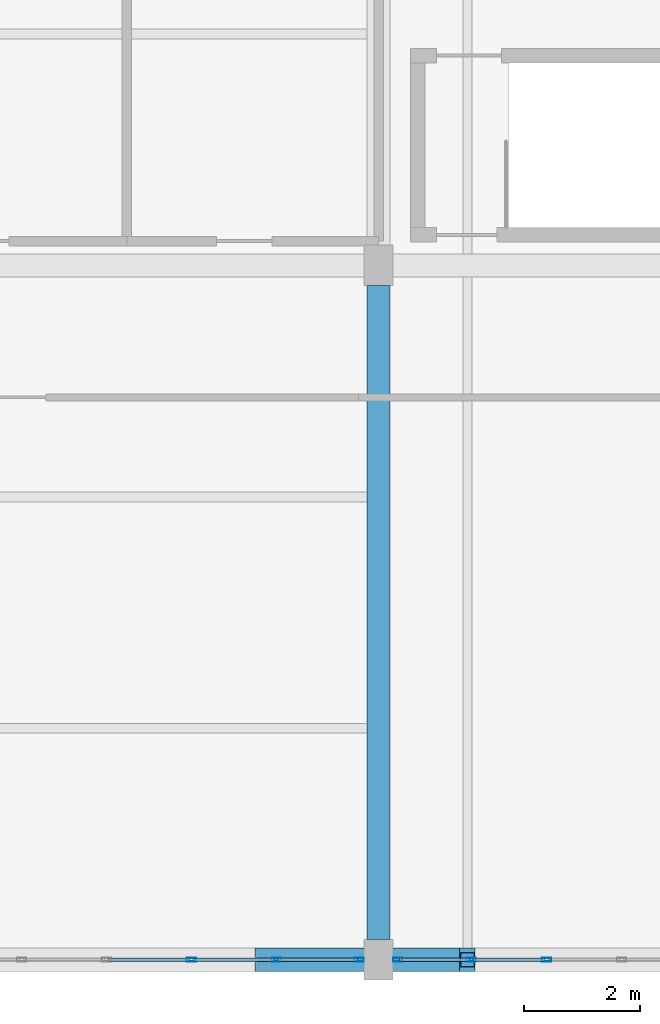
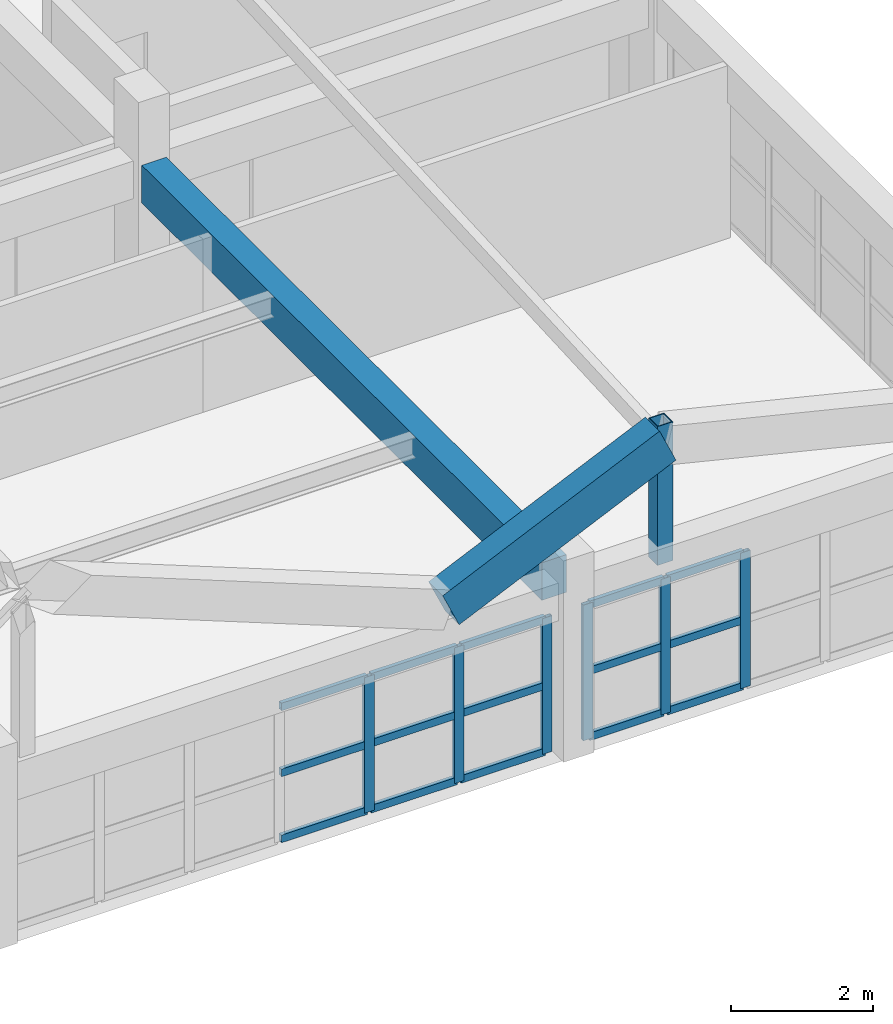
# One storey, part 27 of 127: 22 members, 2 beams, 2 elements without a shape of their own.
"""IFC4 building model written with IfcOpenShell, lengths in metres."""

from ifc_helpers import new_model, si_unit, direction, frame, origin, origin_2d, place, context, subcontext, project, spatial, rectangle, hollow_rectangle, extrude, material, material_profile, profile_set, type_object, element, aggregate, save


model = new_model("IFC4")

# Units and contexts
model_context = context("Model", 3, precision=1e-05, world=origin(), true_north=direction((0.0, 1.0)))
body_context = subcontext(model_context, "Body", "Model", "MODEL_VIEW")
ifc_project = project(units=[si_unit("LENGTHUNIT", "METRE"), si_unit("AREAUNIT", "SQUARE_METRE"), si_unit("VOLUMEUNIT", "CUBIC_METRE"), si_unit("PLANEANGLEUNIT", "RADIAN"), si_unit("MASSUNIT", "GRAM", prefix="KILO")], contexts=[model_context])

# Site, building, storey
site_placement = place(None, origin())
site = spatial("IfcSite", under=ifc_project, at=site_placement, CompositionType="ELEMENT")
building_placement = place(site_placement, origin())
building = spatial("IfcBuilding", under=site, at=building_placement, Name="Kestramere Prow Commons", CompositionType="ELEMENT")
storey_placement = place(building_placement, frame((0.0, 0.0, 8.39990234375)))
storey = spatial("IfcBuildingStorey", under=building, at=storey_placement, Name="L02", CompositionType="ELEMENT", Elevation=8.39990234375)

# Beams
ifc_material_1 = material(Name="Precast concrete C40/50", Category="concrete")
ifc_material_profile_1 = material_profile(ifc_material_1, rectangle(XDim=0.39990234375, YDim=0.64990234375, at=origin_2d()), Name="PC-BM 400x650")
ifc_profile_set_1 = profile_set([ifc_material_profile_1], Name="Precast concrete C40/50")
beam_type_1 = type_object("IfcBeamType", Name="BM-MK-01 PC-BM 400x650", PredefinedType="BEAM", material=ifc_profile_set_1)
beam_1_placement = place(storey_placement, frame((103.60009765625, 0.35009765625, 2.675048828125), z_axis=(0.0, 1.0, 0.0), x_axis=(-1.0, 0.0, 0.0)))
element("IfcBeam", 1, at=beam_1_placement, inside=storey, type_object=beam_type_1, Name="Market Spine L02 Beam Y 6-1", PredefinedType="BEAM", context=body_context, shape_type="SweptSolid", body=[
    extrude(rectangle(XDim=0.39990234375, YDim=0.64990234375, at=origin_2d()), origin(), (0.0, 0.0, 1.0), 11.2998046875),
])
ifc_material_profile_2 = material_profile(ifc_material_1, rectangle(XDim=0.39990234375, YDim=0.64990234375, at=origin_2d()), Name="PC-BM 400x650")
ifc_profile_set_2 = profile_set([ifc_material_profile_2], Name="Precast concrete C40/50")
beam_type_2 = type_object("IfcBeamType", Name="BM-MK-01 PC-BM 400x650 (EX)", PredefinedType="BEAM", material=ifc_profile_set_2)
beam_2_placement = place(storey_placement, frame((101.60009765625, 0.0, 3.14501953125), z_axis=(0.911056733142, 0.0, 0.41228100732), x_axis=(0.0, 1.0, 0.0)))
element("IfcBeam", 2, at=beam_2_placement, inside=storey, type_object=beam_type_2, Name="Market Folded Rafter 5L-0", PredefinedType="BEAM", context=body_context, shape_type="SweptSolid", body=[
    extrude(rectangle(XDim=0.39990234375, YDim=0.64990234375, at=origin_2d()), origin(), (0.0, 0.0, 1.0), 3.881103515625),
])

# Member
ifc_material_2 = material(Name="Steel S355JR", Category="steel")
ifc_material_profile_3 = material_profile(ifc_material_2, hollow_rectangle(XDim=0.25, YDim=0.25, WallThickness=0.012451171875, at=origin_2d()), Name="SHS 250x250x12.5")
ifc_profile_set_3 = profile_set([ifc_material_profile_3], Name="Steel S355JR")
member_type_1 = type_object("IfcMemberType", Name="BRAPX-01 SHS 250x250x12.5", PredefinedType="BRACE", material=ifc_profile_set_3)
member_1_placement = place(storey_placement, frame((105.135986328125, 0.0, 2.675048828125), z_axis=(0.0, 0.0, 1.0), x_axis=(1.0, 0.0, 0.0)))
element("IfcMember", 3, at=member_1_placement, inside=storey, type_object=member_type_1, Name="Market Folded Gable Diagonal Brace 5-0", PredefinedType="BRACE", context=body_context, shape_type="SweptSolid", body=[
    extrude(hollow_rectangle(XDim=0.25, YDim=0.25, WallThickness=0.012451171875, at=origin_2d()), origin(), (0.0, 0.0, 1.0), 2.39501953125),
])

# Curtain wall, members
ifc_material_3 = material(Name="Anodised Aluminium and Low-E Glass", Category="aluminium")
curtain_wall_type_1 = type_object("IfcCurtainWallType", Name="CW-31 Glazed Curtain Wall 8800x2340", PredefinedType="USERDEFINED", material=ifc_material_3)
curtain_wall_1_placement = place(storey_placement, origin())
curtain_wall_1 = element("IfcCurtainWall", 4, at=curtain_wall_1_placement, inside=storey, type_object=curtain_wall_type_1, Name="Market L02 South Shopfront 5", ObjectType="GLAZED CURTAIN WALL", PredefinedType="USERDEFINED")
ifc_material_4 = material(Name="Anodised Aluminium 6063-T6", Category="aluminium")
ifc_material_profile_4 = material_profile(ifc_material_4, hollow_rectangle(XDim=0.06494140625, YDim=0.159912109375, WallThickness=0.00390625, at=origin_2d()), Name="ALU-MUL 65x160")
ifc_profile_set_4 = profile_set([ifc_material_profile_4], Name="Anodised Aluminium 6063-T6")
member_type_2 = type_object("IfcMemberType", Name="CW-MUL-65x160", PredefinedType="MULLION", material=ifc_profile_set_4)
member_2_placement = place(storey_placement, frame((103.267578125, 0.0, 0.0), z_axis=(0.0, 0.0, 1.0), x_axis=(0.0, -1.0, 0.0)))
member_2 = element("IfcMember", 5, at=member_2_placement, type_object=member_type_2, Name="CW-31 mullion 1", PredefinedType="MULLION", context=body_context, shape_type="SweptSolid", body=[
    extrude(hollow_rectangle(XDim=0.06494140625, YDim=0.159912109375, WallThickness=0.00390625, at=origin_2d()), origin(), (0.0, 0.0, 1.0), 2.340087890625),
])
member_3_placement = place(storey_placement, frame((101.833251953125, 0.0, 0.0), z_axis=(0.0, 0.0, 1.0), x_axis=(0.0, -1.0, 0.0)))
member_3 = element("IfcMember", 6, at=member_3_placement, type_object=member_type_2, Name="CW-31 mullion 2", PredefinedType="MULLION", context=body_context, shape_type="SweptSolid", body=[
    extrude(hollow_rectangle(XDim=0.06494140625, YDim=0.159912109375, WallThickness=0.00390625, at=origin_2d()), origin(), (0.0, 0.0, 1.0), 2.340087890625),
])
member_4_placement = place(storey_placement, frame((100.36669921875, 0.0, 0.0), z_axis=(0.0, 0.0, 1.0), x_axis=(0.0, -1.0, 0.0)))
member_4 = element("IfcMember", 7, at=member_4_placement, type_object=member_type_2, Name="CW-31 mullion 3", PredefinedType="MULLION", context=body_context, shape_type="SweptSolid", body=[
    extrude(hollow_rectangle(XDim=0.06494140625, YDim=0.159912109375, WallThickness=0.00390625, at=origin_2d()), origin(), (0.0, 0.0, 1.0), 2.340087890625),
])

curtain_wall_type_2 = type_object("IfcCurtainWallType", Name="CW-28 Glazed Curtain Wall 7800x2340", PredefinedType="USERDEFINED", material=ifc_material_3)
curtain_wall_2_placement = place(storey_placement, origin())
curtain_wall_2 = element("IfcCurtainWall", 8, at=curtain_wall_2_placement, inside=storey, type_object=curtain_wall_type_2, Name="Market L02 South Shopfront 6", ObjectType="GLAZED CURTAIN WALL", PredefinedType="USERDEFINED")
member_5_placement = place(storey_placement, frame((106.5, 0.0, 0.0), z_axis=(0.0, 0.0, 1.0), x_axis=(0.0, -1.0, 0.0)))
member_5 = element("IfcMember", 9, at=member_5_placement, type_object=member_type_2, Name="CW-28 mullion 5", PredefinedType="MULLION", context=body_context, shape_type="SweptSolid", body=[
    extrude(hollow_rectangle(XDim=0.06494140625, YDim=0.159912109375, WallThickness=0.00390625, at=origin_2d()), origin(), (0.0, 0.0, 1.0), 2.340087890625),
])
member_6_placement = place(storey_placement, frame((105.199951171875, 0.0, 0.0), z_axis=(0.0, 0.0, 1.0), x_axis=(0.0, -1.0, 0.0)))
member_6 = element("IfcMember", 10, at=member_6_placement, type_object=member_type_2, Name="CW-28 mullion 6", PredefinedType="MULLION", context=body_context, shape_type="SweptSolid", body=[
    extrude(hollow_rectangle(XDim=0.06494140625, YDim=0.159912109375, WallThickness=0.00390625, at=origin_2d()), origin(), (0.0, 0.0, 1.0), 2.340087890625),
])
member_7_placement = place(storey_placement, frame((103.9326171875, 0.0, 0.0), z_axis=(0.0, 0.0, 1.0), x_axis=(0.0, -1.0, 0.0)))
member_7 = element("IfcMember", 11, at=member_7_placement, type_object=member_type_2, Name="CW-28 mullion 7", PredefinedType="MULLION", context=body_context, shape_type="SweptSolid", body=[
    extrude(hollow_rectangle(XDim=0.06494140625, YDim=0.159912109375, WallThickness=0.00390625, at=origin_2d()), origin(), (0.0, 0.0, 1.0), 2.340087890625),
])

# Member
ifc_material_profile_5 = material_profile(ifc_material_4, hollow_rectangle(XDim=0.06494140625, YDim=0.1298828125, WallThickness=0.00390625, at=origin_2d()), Name="ALU-TRN 65x130")
ifc_profile_set_5 = profile_set([ifc_material_profile_5], Name="Anodised Aluminium 6063-T6")
member_type_3 = type_object("IfcMemberType", Name="CW-TRN-65x130", PredefinedType="USERDEFINED", material=ifc_profile_set_5)
member_8_placement = place(storey_placement, frame((103.235107421875, 0.0, 0.03271484375), z_axis=(-1.0, 0.0, 0.0), x_axis=(0.0, -1.0, 0.0)))
member_8 = element("IfcMember", 12, at=member_8_placement, type_object=member_type_3, Name="CW-31 transom 1.1", ObjectType="TRANSOM", PredefinedType="USERDEFINED", context=body_context, shape_type="SweptSolid", body=[
    extrude(hollow_rectangle(XDim=0.06494140625, YDim=0.1298828125, WallThickness=0.00390625, at=origin_2d()), origin(), (0.0, 0.0, 1.0), 1.369384765625),
])

member_9_placement = place(storey_placement, frame((103.235107421875, 0.0, 1.170166015625), z_axis=(-1.0, 0.0, 0.0), x_axis=(0.0, -1.0, 0.0)))
member_9 = element("IfcMember", 13, at=member_9_placement, type_object=member_type_3, Name="CW-31 transom 1.2", ObjectType="TRANSOM", PredefinedType="USERDEFINED", context=body_context, shape_type="SweptSolid", body=[
    extrude(hollow_rectangle(XDim=0.06494140625, YDim=0.1298828125, WallThickness=0.00390625, at=origin_2d()), origin(), (0.0, 0.0, 1.0), 1.369384765625),
])

member_10_placement = place(storey_placement, frame((103.235107421875, 0.0, 2.3076171875), z_axis=(-1.0, 0.0, 0.0), x_axis=(0.0, -1.0, 0.0)))
member_10 = element("IfcMember", 14, at=member_10_placement, type_object=member_type_3, Name="CW-31 transom 1.3", ObjectType="TRANSOM", PredefinedType="USERDEFINED", context=body_context, shape_type="SweptSolid", body=[
    extrude(hollow_rectangle(XDim=0.06494140625, YDim=0.1298828125, WallThickness=0.00390625, at=origin_2d()), origin(), (0.0, 0.0, 1.0), 1.369384765625),
])

member_11_placement = place(storey_placement, frame((101.80078125, 0.0, 0.03271484375), z_axis=(-1.0, 0.0, 0.0), x_axis=(0.0, -1.0, 0.0)))
member_11 = element("IfcMember", 15, at=member_11_placement, type_object=member_type_3, Name="CW-31 transom 2.1", ObjectType="TRANSOM", PredefinedType="USERDEFINED", context=body_context, shape_type="SweptSolid", body=[
    extrude(hollow_rectangle(XDim=0.06494140625, YDim=0.1298828125, WallThickness=0.00390625, at=origin_2d()), origin(), (0.0, 0.0, 1.0), 1.401611328125),
])

member_12_placement = place(storey_placement, frame((101.80078125, 0.0, 1.170166015625), z_axis=(-1.0, 0.0, 0.0), x_axis=(0.0, -1.0, 0.0)))
member_12 = element("IfcMember", 16, at=member_12_placement, type_object=member_type_3, Name="CW-31 transom 2.2", ObjectType="TRANSOM", PredefinedType="USERDEFINED", context=body_context, shape_type="SweptSolid", body=[
    extrude(hollow_rectangle(XDim=0.06494140625, YDim=0.1298828125, WallThickness=0.00390625, at=origin_2d()), origin(), (0.0, 0.0, 1.0), 1.401611328125),
])

member_13_placement = place(storey_placement, frame((101.80078125, 0.0, 2.3076171875), z_axis=(-1.0, 0.0, 0.0), x_axis=(0.0, -1.0, 0.0)))
member_13 = element("IfcMember", 17, at=member_13_placement, type_object=member_type_3, Name="CW-31 transom 2.3", ObjectType="TRANSOM", PredefinedType="USERDEFINED", context=body_context, shape_type="SweptSolid", body=[
    extrude(hollow_rectangle(XDim=0.06494140625, YDim=0.1298828125, WallThickness=0.00390625, at=origin_2d()), origin(), (0.0, 0.0, 1.0), 1.401611328125),
])

member_14_placement = place(storey_placement, frame((100.334228515625, 0.0, 0.03271484375), z_axis=(-1.0, 0.0, 0.0), x_axis=(0.0, -1.0, 0.0)))
member_14 = element("IfcMember", 18, at=member_14_placement, type_object=member_type_3, Name="CW-31 transom 3.1", ObjectType="TRANSOM", PredefinedType="USERDEFINED", context=body_context, shape_type="SweptSolid", body=[
    extrude(hollow_rectangle(XDim=0.06494140625, YDim=0.1298828125, WallThickness=0.00390625, at=origin_2d()), origin(), (0.0, 0.0, 1.0), 1.401611328125),
])

member_15_placement = place(storey_placement, frame((100.334228515625, 0.0, 1.170166015625), z_axis=(-1.0, 0.0, 0.0), x_axis=(0.0, -1.0, 0.0)))
member_15 = element("IfcMember", 19, at=member_15_placement, type_object=member_type_3, Name="CW-31 transom 3.2", ObjectType="TRANSOM", PredefinedType="USERDEFINED", context=body_context, shape_type="SweptSolid", body=[
    extrude(hollow_rectangle(XDim=0.06494140625, YDim=0.1298828125, WallThickness=0.00390625, at=origin_2d()), origin(), (0.0, 0.0, 1.0), 1.401611328125),
])

member_16_placement = place(storey_placement, frame((100.334228515625, 0.0, 2.3076171875), z_axis=(-1.0, 0.0, 0.0), x_axis=(0.0, -1.0, 0.0)))
member_16 = element("IfcMember", 20, at=member_16_placement, type_object=member_type_3, Name="CW-31 transom 3.3", ObjectType="TRANSOM", PredefinedType="USERDEFINED", context=body_context, shape_type="SweptSolid", body=[
    extrude(hollow_rectangle(XDim=0.06494140625, YDim=0.1298828125, WallThickness=0.00390625, at=origin_2d()), origin(), (0.0, 0.0, 1.0), 1.401611328125),
])

aggregate(curtain_wall_1, [member_2, member_3, member_4, member_8, member_9, member_10, member_11, member_12, member_13, member_14, member_15, member_16])

member_17_placement = place(storey_placement, frame((106.467529296875, 0.0, 0.03271484375), z_axis=(-1.0, 0.0, 0.0), x_axis=(0.0, -1.0, 0.0)))
member_17 = element("IfcMember", 21, at=member_17_placement, type_object=member_type_3, Name="CW-28 transom 5.1", ObjectType="TRANSOM", PredefinedType="USERDEFINED", context=body_context, shape_type="SweptSolid", body=[
    extrude(hollow_rectangle(XDim=0.06494140625, YDim=0.1298828125, WallThickness=0.00390625, at=origin_2d()), origin(), (0.0, 0.0, 1.0), 1.235107421875),
])

member_18_placement = place(storey_placement, frame((106.467529296875, 0.0, 1.170166015625), z_axis=(-1.0, 0.0, 0.0), x_axis=(0.0, -1.0, 0.0)))
member_18 = element("IfcMember", 22, at=member_18_placement, type_object=member_type_3, Name="CW-28 transom 5.2", ObjectType="TRANSOM", PredefinedType="USERDEFINED", context=body_context, shape_type="SweptSolid", body=[
    extrude(hollow_rectangle(XDim=0.06494140625, YDim=0.1298828125, WallThickness=0.00390625, at=origin_2d()), origin(), (0.0, 0.0, 1.0), 1.235107421875),
])

member_19_placement = place(storey_placement, frame((106.467529296875, 0.0, 2.3076171875), z_axis=(-1.0, 0.0, 0.0), x_axis=(0.0, -1.0, 0.0)))
member_19 = element("IfcMember", 23, at=member_19_placement, type_object=member_type_3, Name="CW-28 transom 5.3", ObjectType="TRANSOM", PredefinedType="USERDEFINED", context=body_context, shape_type="SweptSolid", body=[
    extrude(hollow_rectangle(XDim=0.06494140625, YDim=0.1298828125, WallThickness=0.00390625, at=origin_2d()), origin(), (0.0, 0.0, 1.0), 1.235107421875),
])

member_20_placement = place(storey_placement, frame((105.16748046875, 0.0, 0.03271484375), z_axis=(-1.0, 0.0, 0.0), x_axis=(0.0, -1.0, 0.0)))
member_20 = element("IfcMember", 24, at=member_20_placement, type_object=member_type_3, Name="CW-28 transom 6.1", ObjectType="TRANSOM", PredefinedType="USERDEFINED", context=body_context, shape_type="SweptSolid", body=[
    extrude(hollow_rectangle(XDim=0.06494140625, YDim=0.1298828125, WallThickness=0.00390625, at=origin_2d()), origin(), (0.0, 0.0, 1.0), 1.202392578125),
])

member_21_placement = place(storey_placement, frame((105.16748046875, 0.0, 1.170166015625), z_axis=(-1.0, 0.0, 0.0), x_axis=(0.0, -1.0, 0.0)))
member_21 = element("IfcMember", 25, at=member_21_placement, type_object=member_type_3, Name="CW-28 transom 6.2", ObjectType="TRANSOM", PredefinedType="USERDEFINED", context=body_context, shape_type="SweptSolid", body=[
    extrude(hollow_rectangle(XDim=0.06494140625, YDim=0.1298828125, WallThickness=0.00390625, at=origin_2d()), origin(), (0.0, 0.0, 1.0), 1.202392578125),
])

member_22_placement = place(storey_placement, frame((105.16748046875, 0.0, 2.3076171875), z_axis=(-1.0, 0.0, 0.0), x_axis=(0.0, -1.0, 0.0)))
member_22 = element("IfcMember", 26, at=member_22_placement, type_object=member_type_3, Name="CW-28 transom 6.3", ObjectType="TRANSOM", PredefinedType="USERDEFINED", context=body_context, shape_type="SweptSolid", body=[
    extrude(hollow_rectangle(XDim=0.06494140625, YDim=0.1298828125, WallThickness=0.00390625, at=origin_2d()), origin(), (0.0, 0.0, 1.0), 1.202392578125),
])

aggregate(curtain_wall_2, [member_5, member_6, member_7, member_17, member_18, member_19, member_20, member_21, member_22])

save(model, "model.ifc")
